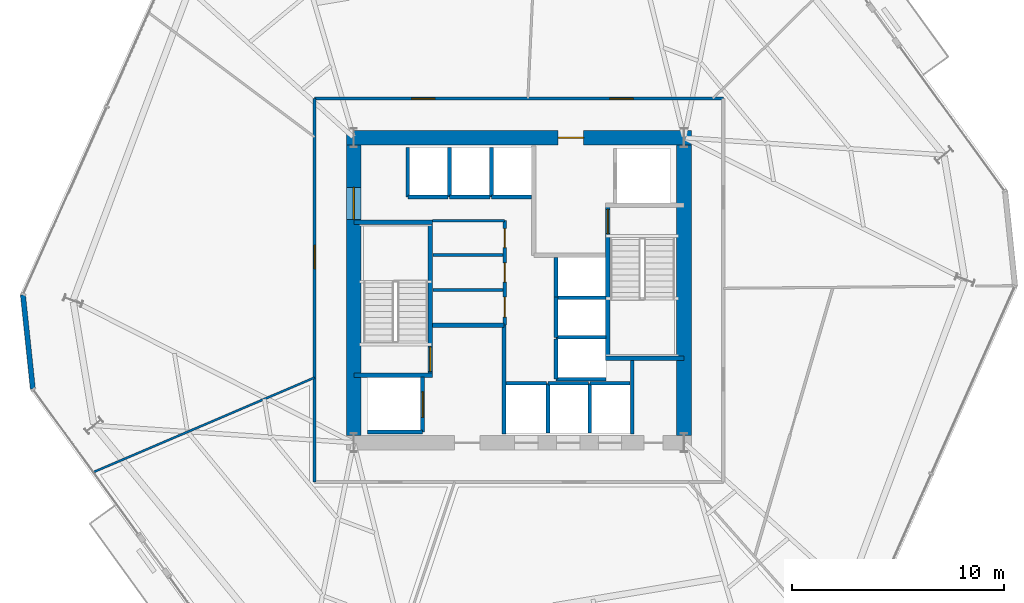
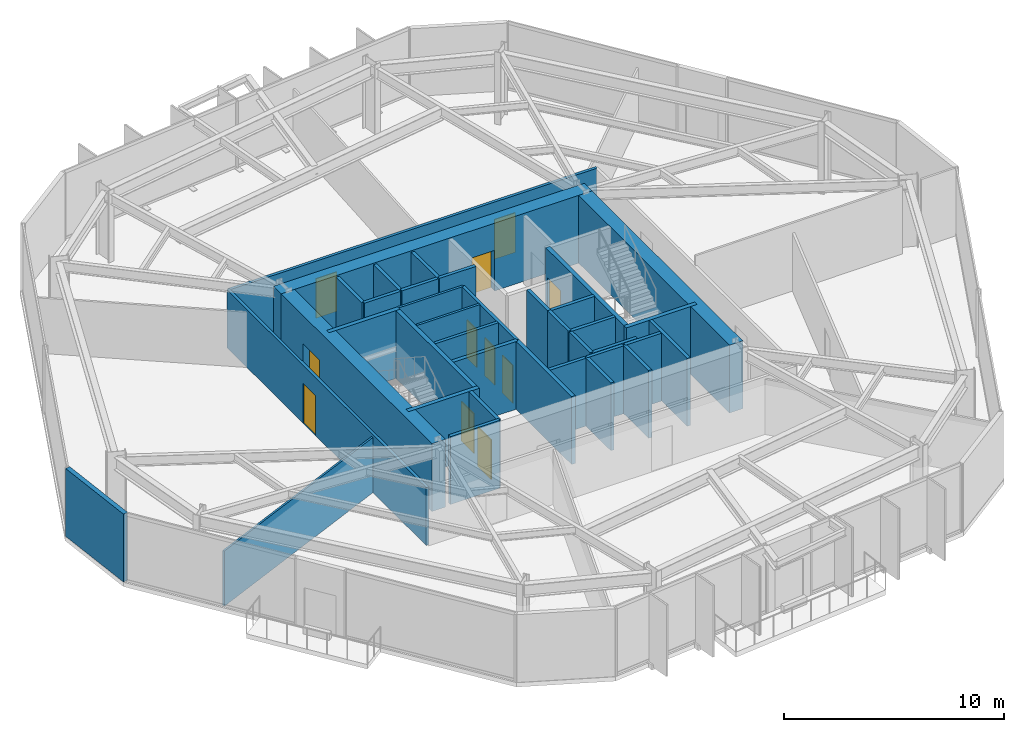
# One storey, part 7 of 11: 38 walls, 11 doors, 11 openings.
"""IFC4 building model written with IfcOpenShell, lengths in metres."""

from ifc_helpers import new_model, si_unit, direction, frame, frame_2d, origin, place, context, subcontext, project, spatial, rectangle, extrude, material, layer, layer_set, type_object, element, fill, save


model = new_model("IFC4")

# Units and contexts
model_context = context("Model", 3, precision=1e-05, world=origin(), true_north=direction((0.0, 1.0)))
body_context = subcontext(model_context, "Body", "Model", "MODEL_VIEW")
ifc_project = project(units=[si_unit("LENGTHUNIT", "METRE"), si_unit("AREAUNIT", "SQUARE_METRE"), si_unit("VOLUMEUNIT", "CUBIC_METRE"), si_unit("PLANEANGLEUNIT", "RADIAN"), si_unit("MASSUNIT", "GRAM", prefix="KILO")], contexts=[model_context])

# Site, building, storey
site_placement = place(None, origin())
site = spatial("IfcSite", under=ifc_project, at=site_placement, CompositionType="ELEMENT")
building_placement = place(site_placement, origin())
building = spatial("IfcBuilding", under=site, at=building_placement, Name="Kranzbogen Civic Tower", CompositionType="ELEMENT")
storey_placement = place(building_placement, frame((0.0, 0.0, 44.0)))
storey = spatial("IfcBuildingStorey", under=building, at=storey_placement, Name="L10", CompositionType="ELEMENT", Elevation=44.0)

# Wall, openings, doors
ifc_material_1 = material(Name="Double-Stud Acoustic Gypsum Partition")
ifc_layer_1 = layer(ifc_material_1, 0.14990234375, Name="Double-Stud Acoustic Gypsum Partition")
ifc_layer_set_1 = layer_set([ifc_layer_1], Name="Double-Stud Acoustic Gypsum Partition")
wall_type_1 = type_object("IfcWallType", Name="Acoustic Corridor and Clinical Partition 150 mm", PredefinedType="PARTITIONING", material=ifc_layer_set_1)
wall_1_placement = place(storey_placement, frame((15.35009765625, 34.050048828125, 0.0), z_axis=(0.0, 0.0, 1.0), x_axis=(1.0, 0.0, 0.0)))
wall_1 = element("IfcWall", 1, at=wall_1_placement, inside=storey, type_object=wall_type_1, Name="L10 corridor partition 01", PredefinedType="PARTITIONING", context=body_context, shape_type="SweptSolid", body=[
    extrude(rectangle(XDim=19.2998046875, YDim=0.14990234375, at=frame_2d((9.64990234375, 0.0))), origin(), (0.0, 0.0, 1.0), 3.2099609375),
])
opening_1_placement = place(wall_1_placement, frame((13.93994140625, 0.0, 0.0)))
opening_1 = element("IfcOpeningElement", 2, at=opening_1_placement, cuts=wall_1, Name="Opening D-COR60", PredefinedType="OPENING", context=body_context, shape_type="SweptSolid", body=[
    extrude(rectangle(XDim=1.10009765625, YDim=2.199951171875, at=frame_2d((0.550048828125, 1.10009765625))), frame((0.0, 0.0849609375, 0.0), z_axis=(0.0, -1.0, 0.0), x_axis=(1.0, 0.0, 0.0)), (0.0, 0.0, 1.0), 0.169921875),
])
opening_2_placement = place(wall_1_placement, frame((4.58203125, 0.0, 0.0)))
opening_2 = element("IfcOpeningElement", 3, at=opening_2_placement, cuts=wall_1, Name="Opening D-COR60", PredefinedType="OPENING", context=body_context, shape_type="SweptSolid", body=[
    extrude(rectangle(XDim=1.10009765625, YDim=2.199951171875, at=frame_2d((0.550048828125, 1.10009765625))), frame((0.0, 0.0849609375, 0.0), z_axis=(0.0, -1.0, 0.0), x_axis=(1.0, 0.0, 0.0)), (0.0, 0.0, 1.0), 0.169921875),
])
ifc_material_2 = material(Name="Oak Timber and Fire Core", Category="wood")
door_type_1 = type_object("IfcDoorType", Name="Corridor Acoustic Fire Door 1100x2200", OperationType="NOTDEFINED", PredefinedType="DOOR", material=ifc_material_2)
door_1_placement = place(opening_1_placement, origin())
door_1 = element("IfcDoor", 4, at=door_1_placement, inside=storey, type_object=door_type_1, Name="L10 Protocol Dining Room door", OperationType="SINGLE_SWING_LEFT", OverallHeight=2.199951171875, OverallWidth=1.10009765625, PredefinedType="DOOR", context=body_context, shape_type="SweptSolid", body=[
    extrude(rectangle(XDim=1.10009765625, YDim=2.199951171875, at=frame_2d((0.550048828125, 1.10009765625))), frame((0.0, 0.02490234375, 0.0), z_axis=(0.0, -1.0, 0.0), x_axis=(1.0, 0.0, 0.0)), (0.0, 0.0, 1.0), 0.050048828125),
])
fill(opening_1, door_1)
door_2_placement = place(opening_2_placement, origin())
door_2 = element("IfcDoor", 5, at=door_2_placement, inside=storey, type_object=door_type_1, Name="L10 Public Delegation Reception door", OperationType="SINGLE_SWING_RIGHT", OverallHeight=2.199951171875, OverallWidth=1.10009765625, PredefinedType="DOOR", context=body_context, shape_type="SweptSolid", body=[
    extrude(rectangle(XDim=1.10009765625, YDim=2.199951171875, at=frame_2d((0.550048828125, 1.10009765625))), frame((0.0, 0.02490234375, 0.0), z_axis=(0.0, -1.0, 0.0), x_axis=(1.0, 0.0, 0.0)), (0.0, 0.0, 1.0), 0.050048828125),
])
fill(opening_2, door_2)

# Wall, opening, door
wall_2_placement = place(storey_placement, frame((15.35009765625, 15.949951171875, 0.0), z_axis=(0.0, 0.0, 1.0), x_axis=(0.0, 1.0, 0.0)))
wall_2 = element("IfcWall", 6, at=wall_2_placement, inside=storey, type_object=wall_type_1, Name="L10 corridor partition 04", PredefinedType="PARTITIONING", context=body_context, shape_type="SweptSolid", body=[
    extrude(rectangle(XDim=18.10009765625, YDim=0.14990234375, at=frame_2d((9.050048828125, 0.0))), origin(), (0.0, 0.0, 1.0), 3.2099609375),
])
opening_3_placement = place(wall_2_placement, frame((10.070068359375, 0.0, 0.0)))
opening_3 = element("IfcOpeningElement", 7, at=opening_3_placement, cuts=wall_2, Name="Opening D-COR60", PredefinedType="OPENING", context=body_context, shape_type="SweptSolid", body=[
    extrude(rectangle(XDim=1.10009765625, YDim=2.199951171875, at=frame_2d((0.550048828125, 1.10009765625))), frame((0.0, 0.0849609375, 0.0), z_axis=(0.0, -1.0, 0.0), x_axis=(1.0, 0.0, 0.0)), (0.0, 0.0, 1.0), 0.169921875),
])
door_3_placement = place(opening_3_placement, origin())
door_3 = element("IfcDoor", 8, at=door_3_placement, inside=storey, type_object=door_type_1, Name="L10 Operations Security Control Room door", OperationType="SINGLE_SWING_LEFT", OverallHeight=2.199951171875, OverallWidth=1.10009765625, PredefinedType="DOOR", context=body_context, shape_type="SweptSolid", body=[
    extrude(rectangle(XDim=1.10009765625, YDim=2.199951171875, at=frame_2d((0.550048828125, 1.10009765625))), frame((0.0, 0.02490234375, 0.0), z_axis=(0.0, -1.0, 0.0), x_axis=(1.0, 0.0, 0.0)), (0.0, 0.0, 1.0), 0.050048828125),
])
fill(opening_3, door_3)

# Walls
ifc_material_3 = material(Name="Insulated Metal-Stud Gypsum Partition")
ifc_layer_2 = layer(ifc_material_3, 0.125, Name="Insulated Metal-Stud Gypsum Partition")
ifc_layer_set_2 = layer_set([ifc_layer_2], Name="Insulated Metal-Stud Gypsum Partition")
wall_type_2 = type_object("IfcWallType", Name="Acoustic Inter-Room Partition 125 mm", PredefinedType="PARTITIONING", material=ifc_layer_set_2)
wall_3_placement = place(storey_placement, frame((20.919921875, 28.280029296875, 0.0), z_axis=(0.0, 0.0, 1.0), x_axis=(1.0, 0.0, 0.0)))
element("IfcWall", 9, at=wall_3_placement, inside=storey, type_object=wall_type_2, Name="L10 core auxiliary North wall", PredefinedType="PARTITIONING", context=body_context, shape_type="SweptSolid", body=[
    extrude(rectangle(XDim=3.405029296875, YDim=0.125, at=frame_2d((1.70263671875, 0.0))), origin(), (0.0, 0.0, 1.0), 3.760009765625),
])
wall_4_placement = place(storey_placement, frame((20.949951171875, 26.659912109375, 0.0), z_axis=(0.0, 0.0, 1.0), x_axis=(1.0, 0.0, 0.0)))
element("IfcWall", 10, at=wall_4_placement, inside=storey, type_object=wall_type_2, Name="L10 core auxiliary partition 2", PredefinedType="PARTITIONING", context=body_context, shape_type="SweptSolid", body=[
    extrude(rectangle(XDim=3.300048828125, YDim=0.125, at=frame_2d((1.64990234375, 0.0))), origin(), (0.0, 0.0, 1.0), 3.760009765625),
])

# Wall, opening, door
ifc_material_4 = material(Name="Concrete C55/67", Category="concrete")
ifc_layer_3 = layer(ifc_material_4, 0.699951171875, Name="Concrete C55/67")
ifc_layer_set_3 = layer_set([ifc_layer_3], Name="Concrete C55/67")
wall_type_3 = type_object("IfcWallType", Name="Central Core Shear Wall 700 mm", PredefinedType="SHEAR", material=ifc_layer_set_3)
wall_5_placement = place(storey_placement, frame((33.14990234375, 32.199951171875, 0.0), z_axis=(0.0, 0.0, 1.0), x_axis=(-1.0, 0.0, 0.0)))
wall_5 = element("IfcWall", 11, at=wall_5_placement, inside=storey, type_object=wall_type_3, Name="L10 central core North shear wall", PredefinedType="SHEAR", context=body_context, shape_type="SweptSolid", body=[
    extrude(rectangle(XDim=16.2998046875, YDim=0.699951171875, at=frame_2d((8.14990234375, 0.0))), origin(), (0.0, 0.0, 1.0), 3.760009765625),
])
opening_4_placement = place(wall_5_placement, frame((5.10009765625, 0.0, 0.0)))
opening_4 = element("IfcOpeningElement", 12, at=opening_4_placement, cuts=wall_5, Name="Opening D-EX120", PredefinedType="OPENING", context=body_context, shape_type="SweptSolid", body=[
    extrude(rectangle(XDim=1.199951171875, YDim=2.25, at=frame_2d((0.60009765625, 1.125))), frame((0.0, 0.35986328125, 0.0), z_axis=(0.0, -1.0, 0.0), x_axis=(1.0, 0.0, 0.0)), (0.0, 0.0, 1.0), 0.719970703125),
])
ifc_material_5 = material(Name="Steel S355", Category="steel")
door_type_2 = type_object("IfcDoorType", Name="Exit Passageway Fire Door 1200x2250", OperationType="NOTDEFINED", PredefinedType="DOOR", material=ifc_material_5)
door_4_placement = place(opening_4_placement, origin())
door_4 = element("IfcDoor", 13, at=door_4_placement, inside=storey, type_object=door_type_2, Name="L10 East firefighting lobby corridor door", OperationType="SINGLE_SWING_LEFT", OverallHeight=2.25, OverallWidth=1.199951171875, PredefinedType="DOOR", context=body_context, shape_type="SweptSolid", body=[
    extrude(rectangle(XDim=1.199951171875, YDim=2.25, at=frame_2d((0.60009765625, 1.125))), frame((0.0, 0.02490234375, 0.0), z_axis=(0.0, -1.0, 0.0), x_axis=(1.0, 0.0, 0.0)), (0.0, 0.0, 1.0), 0.050048828125),
])
fill(opening_4, door_4)

wall_6_placement = place(storey_placement, frame((17.199951171875, 31.85009765625, 0.0), z_axis=(0.0, 0.0, 1.0), x_axis=(0.0, -1.0, 0.0)))
wall_6 = element("IfcWall", 14, at=wall_6_placement, inside=storey, type_object=wall_type_3, Name="L10 central core West shear wall", PredefinedType="SHEAR", context=body_context, shape_type="SweptSolid", body=[
    extrude(rectangle(XDim=13.7001953125, YDim=0.699951171875, at=frame_2d((6.85009765625, 0.0))), origin(), (0.0, 0.0, 1.0), 3.760009765625),
])
opening_5_placement = place(wall_6_placement, frame((2.0, 0.0, 0.0)))
opening_5 = element("IfcOpeningElement", 15, at=opening_5_placement, cuts=wall_6, Name="Opening D-DBL15", PredefinedType="OPENING", context=body_context, shape_type="SweptSolid", body=[
    extrude(rectangle(XDim=1.5, YDim=2.199951171875, at=frame_2d((0.75, 1.10009765625))), frame((0.0, 0.35986328125, 0.0), z_axis=(0.0, -1.0, 0.0), x_axis=(1.0, 0.0, 0.0)), (0.0, 0.0, 1.0), 0.719970703125),
])
ifc_material_6 = material(Name="Anodised Bronze and Glass", Category="glass")
door_type_3 = type_object("IfcDoorType", Name="Civic Lobby Double Door 1500x2200", OperationType="DOUBLE_DOOR_SINGLE_SWING", PredefinedType="DOOR", material=ifc_material_6)
door_5_placement = place(opening_5_placement, origin())
door_5 = element("IfcDoor", 16, at=door_5_placement, inside=storey, type_object=door_type_3, Name="L10 Central Lift Lobby West concourse door", OperationType="DOUBLE_DOOR_SINGLE_SWING", OverallHeight=2.199951171875, OverallWidth=1.5, PredefinedType="DOOR", context=body_context, shape_type="SweptSolid", body=[
    extrude(rectangle(XDim=1.5, YDim=2.199951171875, at=frame_2d((0.75, 1.10009765625))), frame((0.0, 0.02490234375, 0.0), z_axis=(0.0, -1.0, 0.0), x_axis=(1.0, 0.0, 0.0)), (0.0, 0.0, 1.0), 0.050048828125),
])
fill(opening_5, door_5)

# Wall
wall_7_placement = place(storey_placement, frame((32.800048828125, 18.14990234375, 0.0), z_axis=(0.0, 0.0, 1.0), x_axis=(0.0, 1.0, 0.0)))
element("IfcWall", 17, at=wall_7_placement, inside=storey, type_object=wall_type_3, Name="L10 central core East shear wall", PredefinedType="SHEAR", context=body_context, shape_type="SweptSolid", body=[
    extrude(rectangle(XDim=13.7001953125, YDim=0.699951171875, at=frame_2d((6.85009765625, 0.0))), origin(), (0.0, 0.0, 1.0), 3.760009765625),
])

# Wall, opening, door
ifc_material_7 = material(Name="Concrete C45/55", Category="concrete")
ifc_layer_4 = layer(ifc_material_7, 0.219970703125, Name="Concrete C45/55")
ifc_layer_set_4 = layer_set([ifc_layer_4], Name="Concrete C45/55")
wall_type_4 = type_object("IfcWallType", Name="Core Internal Stair Structural Wall 220 mm", PredefinedType="SOLIDWALL", material=ifc_layer_set_4)
wall_8_placement = place(storey_placement, frame((20.81005859375, 20.989990234375, 0.0), z_axis=(0.0, 0.0, 1.0), x_axis=(0.0, 1.0, 0.0)))
wall_8 = element("IfcWall", 18, at=wall_8_placement, inside=storey, type_object=wall_type_4, Name="L10 ST-T1 East structural stair wall", PredefinedType="SOLIDWALL", context=body_context, shape_type="SweptSolid", body=[
    extrude(rectangle(XDim=7.219970703125, YDim=0.219970703125, at=frame_2d((3.60986328125, 0.0))), origin(), (0.0, 0.0, 1.0), 3.760009765625),
])
opening_6_placement = place(wall_8_placement, frame((0.179931640625, 0.0, 0.0)))
opening_6 = element("IfcOpeningElement", 19, at=opening_6_placement, cuts=wall_8, Name="Opening D-ST90", PredefinedType="OPENING", context=body_context, shape_type="SweptSolid", body=[
    extrude(rectangle(XDim=1.14990234375, YDim=2.199951171875, at=frame_2d((0.574951171875, 1.10009765625))), frame((0.0, 0.1201171875, 0.0), z_axis=(0.0, -1.0, 0.0), x_axis=(1.0, 0.0, 0.0)), (0.0, 0.0, 1.0), 0.239990234375),
])
door_type_4 = type_object("IfcDoorType", Name="Pressurized Stair and Lobby Fire Door 1150x2200", OperationType="NOTDEFINED", PredefinedType="DOOR", material=ifc_material_5)
door_6_placement = place(opening_6_placement, origin())
door_6 = element("IfcDoor", 20, at=door_6_placement, inside=storey, type_object=door_type_4, Name="L10 Stair ST-T1 fire door", OperationType="SINGLE_SWING_RIGHT", OverallHeight=2.199951171875, OverallWidth=1.14990234375, PredefinedType="DOOR", context=body_context, shape_type="SweptSolid", body=[
    extrude(rectangle(XDim=1.14990234375, YDim=2.199951171875, at=frame_2d((0.574951171875, 1.10009765625))), frame((0.0, 0.02490234375, 0.0), z_axis=(0.0, -1.0, 0.0), x_axis=(1.0, 0.0, 0.0)), (0.0, 0.0, 1.0), 0.050048828125),
])
fill(opening_6, door_6)

# Walls
for number, where, z_axis, x_axis, name in (
    (21, (17.199951171875, 20.989990234375, 0.0), (0.0, 0.0, 1.0), (1.0, 0.0, 0.0), "L10 ST-T1 South structural stair wall"),
    (22, (17.199951171875, 28.2099609375, 0.0), (0.0, 0.0, 1.0), (1.0, 0.0, 0.0), "L10 ST-T1 North structural stair wall"),
):
    element("IfcWall", number, at=place(storey_placement, frame(where, z_axis=z_axis, x_axis=x_axis)), inside=storey, type_object=wall_type_4, Name=name, PredefinedType="SOLIDWALL", context=body_context, shape_type="SweptSolid", body=[
        extrude(rectangle(XDim=3.719970703125, YDim=0.219970703125, at=frame_2d((1.85986328125, 0.0))), origin(), (0.0, 0.0, 1.0), 3.760009765625),
    ])

# Wall, opening, door
wall_9_placement = place(storey_placement, frame((29.18994140625, 21.7900390625, 0.0), z_axis=(0.0, 0.0, 1.0), x_axis=(0.0, 1.0, 0.0)))
wall_9 = element("IfcWall", 23, at=wall_9_placement, inside=storey, type_object=wall_type_4, Name="L10 ST-T2 West structural stair wall", PredefinedType="SOLIDWALL", context=body_context, shape_type="SweptSolid", body=[
    extrude(rectangle(XDim=7.219970703125, YDim=0.219970703125, at=frame_2d((3.60986328125, 0.0))), origin(), (0.0, 0.0, 1.0), 3.760009765625),
])
opening_7_placement = place(wall_9_placement, frame((5.8798828125, 0.0, 0.0)))
opening_7 = element("IfcOpeningElement", 24, at=opening_7_placement, cuts=wall_9, Name="Opening D-ST90", PredefinedType="OPENING", context=body_context, shape_type="SweptSolid", body=[
    extrude(rectangle(XDim=1.14990234375, YDim=2.199951171875, at=frame_2d((0.574951171875, 1.10009765625))), frame((0.0, 0.1201171875, 0.0), z_axis=(0.0, -1.0, 0.0), x_axis=(1.0, 0.0, 0.0)), (0.0, 0.0, 1.0), 0.239990234375),
])
door_7_placement = place(opening_7_placement, origin())
door_7 = element("IfcDoor", 25, at=door_7_placement, inside=storey, type_object=door_type_4, Name="L10 Stair ST-T2 fire door", OperationType="SINGLE_SWING_LEFT", OverallHeight=2.199951171875, OverallWidth=1.14990234375, PredefinedType="DOOR", context=body_context, shape_type="SweptSolid", body=[
    extrude(rectangle(XDim=1.14990234375, YDim=2.199951171875, at=frame_2d((0.574951171875, 1.10009765625))), frame((0.0, 0.02490234375, 0.0), z_axis=(0.0, -1.0, 0.0), x_axis=(1.0, 0.0, 0.0)), (0.0, 0.0, 1.0), 0.050048828125),
])
fill(opening_7, door_7)

# Walls
wall_10_placement = place(storey_placement, frame((29.080078125, 21.7900390625, 0.0), z_axis=(0.0, 0.0, 1.0), x_axis=(1.0, 0.0, 0.0)))
element("IfcWall", 26, at=wall_10_placement, inside=storey, type_object=wall_type_4, Name="L10 ST-T2 South structural stair wall", PredefinedType="SOLIDWALL", context=body_context, shape_type="SweptSolid", body=[
    extrude(rectangle(XDim=3.719970703125, YDim=0.219970703125, at=frame_2d((1.85986328125, 0.0))), origin(), (0.0, 0.0, 1.0), 3.760009765625),
])
ifc_material_8 = material(Name="Demountable Aluminium and Gypsum Partition", Category="aluminium")
ifc_layer_5 = layer(ifc_material_8, 0.10009765625, Name="Demountable Aluminium and Gypsum Partition")
ifc_layer_set_5 = layer_set([ifc_layer_5], Name="Demountable Aluminium and Gypsum Partition")
wall_type_5 = type_object("IfcWallType", Name="Demountable Office Partition 100 mm", PredefinedType="MOVABLE", material=ifc_layer_set_5)
wall_11_placement = place(storey_placement, frame((15.35009765625, 20.8740234375, 0.0), z_axis=(0.0, 0.0, 1.0), x_axis=(-0.919467552989, -0.393165892468, 0.0)))
element("IfcWall", 27, at=wall_11_placement, inside=storey, type_object=wall_type_5, Name="L10 radial room partition 04", PredefinedType="MOVABLE", context=body_context, shape_type="SweptSolid", body=[
    extrude(rectangle(XDim=11.34375, YDim=0.10009765625, at=frame_2d((5.671875, 0.0))), origin(), (0.0, 0.0, 1.0), 3.06005859375),
])
ifc_material_9 = material(Name="Gypsum Fireboard and Concrete Block", Category="concrete")
ifc_layer_6 = layer(ifc_material_9, 0.199951171875, Name="Gypsum Fireboard and Concrete Block")
ifc_layer_set_6 = layer_set([ifc_layer_6], Name="Gypsum Fireboard and Concrete Block")
wall_type_6 = type_object("IfcWallType", Name="Fire-Rated Exit Passageway and Stair Wall 200 mm", PredefinedType="PARTITIONING", material=ifc_layer_set_6)
wall_12_placement = place(storey_placement, frame((24.300048828125, 18.199951171875, 0.0), z_axis=(0.0, 0.0, 1.0), x_axis=(0.0, 1.0, 0.0)))
element("IfcWall", 28, at=wall_12_placement, inside=storey, type_object=wall_type_6, Name="L10 West firefighting lobby East wall", PredefinedType="PARTITIONING", context=body_context, shape_type="SweptSolid", body=[
    extrude(rectangle(XDim=5.150146484375, YDim=0.199951171875, at=frame_2d((2.5751953125, 0.0))), origin(), (0.0, 0.0, 1.0), 3.760009765625),
])
wall_13_placement = place(storey_placement, frame((20.919921875, 23.35009765625, 0.0), z_axis=(0.0, 0.0, 1.0), x_axis=(1.0, 0.0, 0.0)))
element("IfcWall", 29, at=wall_13_placement, inside=storey, type_object=wall_type_6, Name="L10 West firefighting lobby North wall", PredefinedType="PARTITIONING", context=body_context, shape_type="SweptSolid", body=[
    extrude(rectangle(XDim=3.380126953125, YDim=0.199951171875, at=frame_2d((1.68994140625, 0.0))), origin(), (0.0, 0.0, 1.0), 3.760009765625),
])
ifc_material_10 = material(Name="Gypsum Fireboard Shaftliner")
ifc_layer_7 = layer(ifc_material_10, 0.175048828125, Name="Gypsum Fireboard Shaftliner")
ifc_layer_set_7 = layer_set([ifc_layer_7], Name="Gypsum Fireboard Shaftliner")
wall_type_7 = type_object("IfcWallType", Name="Fire-Rated Lift and Service Shaft Wall 175 mm", PredefinedType="PARTITIONING", material=ifc_layer_set_7)
wall_14_placement = place(storey_placement, frame((30.35009765625, 18.199951171875, 0.0), z_axis=(0.0, 0.0, 1.0), x_axis=(0.0, 1.0, 0.0)))
element("IfcWall", 30, at=wall_14_placement, inside=storey, type_object=wall_type_7, Name="L10 East core riser West wall", PredefinedType="PARTITIONING", context=body_context, shape_type="SweptSolid", body=[
    extrude(rectangle(XDim=3.47998046875, YDim=0.175048828125, at=frame_2d((1.739990234375, 0.0))), origin(), (0.0, 0.0, 1.0), 3.760009765625),
])
wall_15_placement = place(storey_placement, frame((24.39990234375, 20.60009765625, 0.0), z_axis=(0.0, 0.0, 1.0), x_axis=(1.0, 0.0, 0.0)))
element("IfcWall", 31, at=wall_15_placement, inside=storey, type_object=wall_type_7, Name="L10 lift LP-01 rear wall", PredefinedType="PARTITIONING", context=body_context, shape_type="SweptSolid", body=[
    extrude(rectangle(XDim=1.900146484375, YDim=0.175048828125, at=frame_2d((0.9501953125, 0.0))), origin(), (0.0, 0.0, 1.0), 3.760009765625),
])
wall_16_placement = place(storey_placement, frame((26.375, 20.60009765625, 0.0), z_axis=(0.0, 0.0, 1.0), x_axis=(1.0, 0.0, 0.0)))
element("IfcWall", 32, at=wall_16_placement, inside=storey, type_object=wall_type_7, Name="L10 lift LP-02 rear wall", PredefinedType="PARTITIONING", context=body_context, shape_type="SweptSolid", body=[
    extrude(rectangle(XDim=1.89990234375, YDim=0.175048828125, at=frame_2d((0.949951171875, 0.0))), origin(), (0.0, 0.0, 1.0), 3.760009765625),
])
wall_17_placement = place(storey_placement, frame((26.375, 18.25, 0.0), z_axis=(0.0, 0.0, 1.0), x_axis=(0.0, 1.0, 0.0)))
element("IfcWall", 33, at=wall_17_placement, inside=storey, type_object=wall_type_7, Name="L10 lift LP-02 side wall", PredefinedType="PARTITIONING", context=body_context, shape_type="SweptSolid", body=[
    extrude(rectangle(XDim=2.35009765625, YDim=0.175048828125, at=frame_2d((1.175048828125, 0.0))), origin(), (0.0, 0.0, 1.0), 3.760009765625),
])
wall_18_placement = place(storey_placement, frame((28.35009765625, 20.60009765625, 0.0), z_axis=(0.0, 0.0, 1.0), x_axis=(1.0, 0.0, 0.0)))
element("IfcWall", 34, at=wall_18_placement, inside=storey, type_object=wall_type_7, Name="L10 lift LP-03 rear wall", PredefinedType="PARTITIONING", context=body_context, shape_type="SweptSolid", body=[
    extrude(rectangle(XDim=1.89990234375, YDim=0.175048828125, at=frame_2d((0.949951171875, 0.0))), origin(), (0.0, 0.0, 1.0), 3.760009765625),
])
wall_19_placement = place(storey_placement, frame((28.35009765625, 18.25, 0.0), z_axis=(0.0, 0.0, 1.0), x_axis=(0.0, 1.0, 0.0)))
element("IfcWall", 35, at=wall_19_placement, inside=storey, type_object=wall_type_7, Name="L10 lift LP-03 side wall", PredefinedType="PARTITIONING", context=body_context, shape_type="SweptSolid", body=[
    extrude(rectangle(XDim=2.35009765625, YDim=0.175048828125, at=frame_2d((1.175048828125, 0.0))), origin(), (0.0, 0.0, 1.0), 3.760009765625),
])
wall_20_placement = place(storey_placement, frame((19.75, 29.39990234375, 0.0), z_axis=(0.0, 0.0, 1.0), x_axis=(1.0, 0.0, 0.0)))
element("IfcWall", 36, at=wall_20_placement, inside=storey, type_object=wall_type_7, Name="L10 lift MP-01 rear wall", PredefinedType="PARTITIONING", context=body_context, shape_type="SweptSolid", body=[
    extrude(rectangle(XDim=1.89990234375, YDim=0.175048828125, at=frame_2d((0.949951171875, 0.0))), origin(), (0.0, 0.0, 1.0), 3.760009765625),
])
wall_21_placement = place(storey_placement, frame((19.75, 29.39990234375, 0.0), z_axis=(0.0, 0.0, 1.0), x_axis=(0.0, 1.0, 0.0)))
element("IfcWall", 37, at=wall_21_placement, inside=storey, type_object=wall_type_7, Name="L10 lift MP-01 side wall", PredefinedType="PARTITIONING", context=body_context, shape_type="SweptSolid", body=[
    extrude(rectangle(XDim=2.35009765625, YDim=0.175048828125, at=frame_2d((1.175048828125, 0.0))), origin(), (0.0, 0.0, 1.0), 3.760009765625),
])
wall_22_placement = place(storey_placement, frame((21.72509765625, 29.39990234375, 0.0), z_axis=(0.0, 0.0, 1.0), x_axis=(1.0, 0.0, 0.0)))
element("IfcWall", 38, at=wall_22_placement, inside=storey, type_object=wall_type_7, Name="L10 lift MP-02 rear wall", PredefinedType="PARTITIONING", context=body_context, shape_type="SweptSolid", body=[
    extrude(rectangle(XDim=1.89990234375, YDim=0.175048828125, at=frame_2d((0.949951171875, 0.0))), origin(), (0.0, 0.0, 1.0), 3.760009765625),
])
wall_23_placement = place(storey_placement, frame((21.72509765625, 29.39990234375, 0.0), z_axis=(0.0, 0.0, 1.0), x_axis=(0.0, 1.0, 0.0)))
element("IfcWall", 39, at=wall_23_placement, inside=storey, type_object=wall_type_7, Name="L10 lift MP-02 side wall", PredefinedType="PARTITIONING", context=body_context, shape_type="SweptSolid", body=[
    extrude(rectangle(XDim=2.35009765625, YDim=0.175048828125, at=frame_2d((1.175048828125, 0.0))), origin(), (0.0, 0.0, 1.0), 3.760009765625),
])
wall_24_placement = place(storey_placement, frame((23.699951171875, 29.39990234375, 0.0), z_axis=(0.0, 0.0, 1.0), x_axis=(1.0, 0.0, 0.0)))
element("IfcWall", 40, at=wall_24_placement, inside=storey, type_object=wall_type_7, Name="L10 lift MP-03 rear wall", PredefinedType="PARTITIONING", context=body_context, shape_type="SweptSolid", body=[
    extrude(rectangle(XDim=1.900146484375, YDim=0.175048828125, at=frame_2d((0.9501953125, 0.0))), origin(), (0.0, 0.0, 1.0), 3.760009765625),
])
wall_25_placement = place(storey_placement, frame((23.699951171875, 29.39990234375, 0.0), z_axis=(0.0, 0.0, 1.0), x_axis=(0.0, 1.0, 0.0)))
element("IfcWall", 41, at=wall_25_placement, inside=storey, type_object=wall_type_7, Name="L10 lift MP-03 side wall", PredefinedType="PARTITIONING", context=body_context, shape_type="SweptSolid", body=[
    extrude(rectangle(XDim=2.35009765625, YDim=0.175048828125, at=frame_2d((1.175048828125, 0.0))), origin(), (0.0, 0.0, 1.0), 3.760009765625),
])
wall_26_placement = place(storey_placement, frame((26.75, 20.800048828125, 0.0), z_axis=(0.0, 0.0, 1.0), x_axis=(0.0, 1.0, 0.0)))
element("IfcWall", 42, at=wall_26_placement, inside=storey, type_object=wall_type_7, Name="L10 lift HP-01 landing wall", PredefinedType="PARTITIONING", context=body_context, shape_type="SweptSolid", body=[
    extrude(rectangle(XDim=1.89990234375, YDim=0.175048828125, at=frame_2d((0.949951171875, 0.0))), origin(), (0.0, 0.0, 1.0), 3.760009765625),
])
wall_27_placement = place(storey_placement, frame((26.75, 20.800048828125, 0.0), z_axis=(0.0, 0.0, 1.0), x_axis=(1.0, 0.0, 0.0)))
element("IfcWall", 43, at=wall_27_placement, inside=storey, type_object=wall_type_7, Name="L10 lift HP-01 side wall", PredefinedType="PARTITIONING", context=body_context, shape_type="SweptSolid", body=[
    extrude(rectangle(XDim=2.35009765625, YDim=0.175048828125, at=frame_2d((1.175048828125, 0.0))), origin(), (0.0, 0.0, 1.0), 3.760009765625),
])
wall_28_placement = place(storey_placement, frame((26.75, 22.77490234375, 0.0), z_axis=(0.0, 0.0, 1.0), x_axis=(0.0, 1.0, 0.0)))
element("IfcWall", 44, at=wall_28_placement, inside=storey, type_object=wall_type_7, Name="L10 lift HP-02 landing wall", PredefinedType="PARTITIONING", context=body_context, shape_type="SweptSolid", body=[
    extrude(rectangle(XDim=1.900146484375, YDim=0.175048828125, at=frame_2d((0.9501953125, 0.0))), origin(), (0.0, 0.0, 1.0), 3.760009765625),
])
wall_29_placement = place(storey_placement, frame((26.75, 22.77490234375, 0.0), z_axis=(0.0, 0.0, 1.0), x_axis=(1.0, 0.0, 0.0)))
element("IfcWall", 45, at=wall_29_placement, inside=storey, type_object=wall_type_7, Name="L10 lift HP-02 side wall", PredefinedType="PARTITIONING", context=body_context, shape_type="SweptSolid", body=[
    extrude(rectangle(XDim=2.35009765625, YDim=0.175048828125, at=frame_2d((1.175048828125, 0.0))), origin(), (0.0, 0.0, 1.0), 3.760009765625),
])
wall_30_placement = place(storey_placement, frame((26.75, 24.64990234375, 0.0), z_axis=(0.0, 0.0, 1.0), x_axis=(0.0, 1.0, 0.0)))
element("IfcWall", 46, at=wall_30_placement, inside=storey, type_object=wall_type_7, Name="L10 lift HP-03 landing wall", PredefinedType="PARTITIONING", context=body_context, shape_type="SweptSolid", body=[
    extrude(rectangle(XDim=1.900146484375, YDim=0.175048828125, at=frame_2d((0.9501953125, 0.0))), origin(), (0.0, 0.0, 1.0), 3.760009765625),
])
wall_31_placement = place(storey_placement, frame((26.75, 24.64990234375, 0.0), z_axis=(0.0, 0.0, 1.0), x_axis=(1.0, 0.0, 0.0)))
element("IfcWall", 47, at=wall_31_placement, inside=storey, type_object=wall_type_7, Name="L10 lift HP-03 side wall", PredefinedType="PARTITIONING", context=body_context, shape_type="SweptSolid", body=[
    extrude(rectangle(XDim=2.35009765625, YDim=0.175048828125, at=frame_2d((1.175048828125, 0.0))), origin(), (0.0, 0.0, 1.0), 3.760009765625),
])

# Wall, opening, door
wall_32_placement = place(storey_placement, frame((20.449951171875, 18.300048828125, 0.0), z_axis=(0.0, 0.0, 1.0), x_axis=(0.0, 1.0, 0.0)))
wall_32 = element("IfcWall", 48, at=wall_32_placement, inside=storey, type_object=wall_type_7, Name="L10 lift FF-01 landing wall", PredefinedType="PARTITIONING", context=body_context, shape_type="SweptSolid", body=[
    extrude(rectangle(XDim=2.599853515625, YDim=0.175048828125, at=frame_2d((1.2998046875, 0.0))), origin(), (0.0, 0.0, 1.0), 3.760009765625),
])
opening_8_placement = place(wall_32_placement, frame((0.699951171875, 0.0, 0.0)))
opening_8 = element("IfcOpeningElement", 49, at=opening_8_placement, cuts=wall_32, Name="Opening LD-FF-01", PredefinedType="OPENING", context=body_context, shape_type="SweptSolid", body=[
    extrude(rectangle(XDim=1.199951171875, YDim=2.199951171875, at=frame_2d((0.60009765625, 1.10009765625))), frame((0.0, 0.09765625, 0.0), z_axis=(0.0, -1.0, 0.0), x_axis=(1.0, 0.0, 0.0)), (0.0, 0.0, 1.0), 0.195068359375),
])
ifc_material_11 = material(Name="Pale Anodised Aluminium", Category="aluminium")
door_type_5 = type_object("IfcDoorType", Name="Firefighting and Stretcher Lift Sliding Landing Door 1200x2200", OperationType="DOUBLE_DOOR_SLIDING", PredefinedType="DOOR", material=ifc_material_11)
door_8_placement = place(opening_8_placement, origin())
door_8 = element("IfcDoor", 50, at=door_8_placement, inside=storey, type_object=door_type_5, Name="L10 lift FF-01 sliding landing door", OperationType="DOUBLE_DOOR_SLIDING", OverallHeight=2.199951171875, OverallWidth=1.199951171875, PredefinedType="DOOR", context=body_context, shape_type="SweptSolid", body=[
    extrude(rectangle(XDim=1.199951171875, YDim=2.199951171875, at=frame_2d((0.60009765625, 1.10009765625))), frame((0.0, 0.02490234375, 0.0), z_axis=(0.0, -1.0, 0.0), x_axis=(1.0, 0.0, 0.0)), (0.0, 0.0, 1.0), 0.050048828125),
])
fill(opening_8, door_8)

# Walls
wall_33_placement = place(storey_placement, frame((17.85009765625, 18.300048828125, 0.0), z_axis=(0.0, 0.0, 1.0), x_axis=(1.0, 0.0, 0.0)))
element("IfcWall", 51, at=wall_33_placement, inside=storey, type_object=wall_type_7, Name="L10 lift FF-01 side wall", PredefinedType="PARTITIONING", context=body_context, shape_type="SweptSolid", body=[
    extrude(rectangle(XDim=2.599853515625, YDim=0.175048828125, at=frame_2d((1.2998046875, 0.0))), origin(), (0.0, 0.0, 1.0), 3.760009765625),
])
ifc_layer_8 = layer(ifc_material_11, 0.239990234375, Name="Pale Anodised Aluminium")
ifc_layer_set_8 = layer_set([ifc_layer_8], Name="Pale Anodised Aluminium")
wall_type_8 = type_object("IfcWallType", Name="Insulated Aluminium Facade Portal Wall 240 mm", PredefinedType="STANDARD", material=ifc_layer_set_8)
wall_34_placement = place(storey_placement, frame((1.577880859375, 24.787109375, 0.0), z_axis=(0.0, 0.0, 1.0), x_axis=(0.104642162151, -0.994509938563, 0.0)))
element("IfcWall", 52, at=wall_34_placement, inside=storey, type_object=wall_type_8, Name="L10 chamfered corner facade spandrel 3", PredefinedType="STANDARD", context=body_context, shape_type="SweptSolid", body=[
    extrude(rectangle(XDim=4.47265625, YDim=0.239990234375, at=frame_2d((2.236328125, 0.0))), origin(), (0.0, 0.0, 1.0), 3.760009765625),
])

# Wall, openings, doors
ifc_material_12 = material(Name="Moisture-Resistant Gypsum Assembly")
ifc_layer_9 = layer(ifc_material_12, 0.159912109375, Name="Moisture-Resistant Gypsum Assembly")
ifc_layer_set_9 = layer_set([ifc_layer_9], Name="Moisture-Resistant Gypsum Assembly")
wall_type_9 = type_object("IfcWallType", Name="Sanitary and Plumbing Wet Wall 160 mm", PredefinedType="PLUMBINGWALL", material=ifc_layer_set_9)
wall_35_placement = place(storey_placement, frame((24.324951171875, 23.35009765625, 0.0), z_axis=(0.0, 0.0, 1.0), x_axis=(0.0, 1.0, 0.0)))
wall_35 = element("IfcWall", 53, at=wall_35_placement, inside=storey, type_object=wall_type_9, Name="L10 core auxiliary East wall", PredefinedType="PLUMBINGWALL", context=body_context, shape_type="SweptSolid", body=[
    extrude(rectangle(XDim=4.929931640625, YDim=0.159912109375, at=frame_2d((2.46484375, 0.0))), origin(), (0.0, 0.0, 1.0), 3.760009765625),
])
opening_9_placement = place(wall_35_placement, frame((0.375, 0.0, 0.0)))
opening_9 = element("IfcOpeningElement", 54, at=opening_9_placement, cuts=wall_35, Name="Opening D-AWC95", PredefinedType="OPENING", context=body_context, shape_type="SweptSolid", body=[
    extrude(rectangle(XDim=0.949951171875, YDim=2.10009765625, at=frame_2d((0.47509765625, 1.050048828125))), frame((0.0, 0.08984375, 0.0), z_axis=(0.0, -1.0, 0.0), x_axis=(1.0, 0.0, 0.0)), (0.0, 0.0, 1.0), 0.179931640625),
])
opening_10_placement = place(wall_35_placement, frame((2.034912109375, 0.0, 0.0)))
opening_10 = element("IfcOpeningElement", 55, at=opening_10_placement, cuts=wall_35, Name="Opening D-WC90", PredefinedType="OPENING", context=body_context, shape_type="SweptSolid", body=[
    extrude(rectangle(XDim=0.89990234375, YDim=2.10009765625, at=frame_2d((0.449951171875, 1.050048828125))), frame((0.0, 0.08984375, 0.0), z_axis=(0.0, -1.0, 0.0), x_axis=(1.0, 0.0, 0.0)), (0.0, 0.0, 1.0), 0.179931640625),
])
opening_11_placement = place(wall_35_placement, frame((3.659912109375, 0.0, 0.0)))
opening_11 = element("IfcOpeningElement", 56, at=opening_11_placement, cuts=wall_35, Name="Opening D-WC90", PredefinedType="OPENING", context=body_context, shape_type="SweptSolid", body=[
    extrude(rectangle(XDim=0.89990234375, YDim=2.10009765625, at=frame_2d((0.449951171875, 1.050048828125))), frame((0.0, 0.08984375, 0.0), z_axis=(0.0, -1.0, 0.0), x_axis=(1.0, 0.0, 0.0)), (0.0, 0.0, 1.0), 0.179931640625),
])
ifc_material_13 = material(Name="Moisture-Resistant Laminate")
door_type_6 = type_object("IfcDoorType", Name="Accessible Restroom Door 950x2100", OperationType="NOTDEFINED", PredefinedType="DOOR", material=ifc_material_13)
door_9_placement = place(opening_9_placement, origin())
door_9 = element("IfcDoor", 57, at=door_9_placement, inside=storey, type_object=door_type_6, Name="L10 Accessible Restroom door", OperationType="SINGLE_SWING_RIGHT", OverallHeight=2.10009765625, OverallWidth=0.949951171875, PredefinedType="DOOR", context=body_context, shape_type="SweptSolid", body=[
    extrude(rectangle(XDim=0.949951171875, YDim=2.10009765625, at=frame_2d((0.47509765625, 1.050048828125))), frame((0.0, 0.02490234375, 0.0), z_axis=(0.0, -1.0, 0.0), x_axis=(1.0, 0.0, 0.0)), (0.0, 0.0, 1.0), 0.050048828125),
])
fill(opening_9, door_9)
door_type_7 = type_object("IfcDoorType", Name="Standard Restroom and Store Door 900x2100", OperationType="NOTDEFINED", PredefinedType="DOOR", material=ifc_material_13)
door_10_placement = place(opening_10_placement, origin())
door_10 = element("IfcDoor", 58, at=door_10_placement, inside=storey, type_object=door_type_7, Name="L10 Staff Restroom door", OperationType="SINGLE_SWING_LEFT", OverallHeight=2.10009765625, OverallWidth=0.89990234375, PredefinedType="DOOR", context=body_context, shape_type="SweptSolid", body=[
    extrude(rectangle(XDim=0.89990234375, YDim=2.10009765625, at=frame_2d((0.449951171875, 1.050048828125))), frame((0.0, 0.02490234375, 0.0), z_axis=(0.0, -1.0, 0.0), x_axis=(1.0, 0.0, 0.0)), (0.0, 0.0, 1.0), 0.050048828125),
])
fill(opening_10, door_10)
door_11_placement = place(opening_11_placement, origin())
door_11 = element("IfcDoor", 59, at=door_11_placement, inside=storey, type_object=door_type_7, Name="L10 Cleaner and Janitor Store door", OperationType="SINGLE_SWING_RIGHT", OverallHeight=2.10009765625, OverallWidth=0.89990234375, PredefinedType="DOOR", context=body_context, shape_type="SweptSolid", body=[
    extrude(rectangle(XDim=0.89990234375, YDim=2.10009765625, at=frame_2d((0.449951171875, 1.050048828125))), frame((0.0, 0.02490234375, 0.0), z_axis=(0.0, -1.0, 0.0), x_axis=(1.0, 0.0, 0.0)), (0.0, 0.0, 1.0), 0.050048828125),
])
fill(opening_11, door_11)

# Wall
wall_36_placement = place(storey_placement, frame((20.949951171875, 25.010009765625, 0.0), z_axis=(0.0, 0.0, 1.0), x_axis=(1.0, 0.0, 0.0)))
element("IfcWall", 60, at=wall_36_placement, inside=storey, type_object=wall_type_9, Name="L10 core auxiliary partition 1", PredefinedType="PLUMBINGWALL", context=body_context, shape_type="SweptSolid", body=[
    extrude(rectangle(XDim=3.300048828125, YDim=0.159912109375, at=frame_2d((1.64990234375, 0.0))), origin(), (0.0, 0.0, 1.0), 3.760009765625),
])

save(model, "model.ifc")
